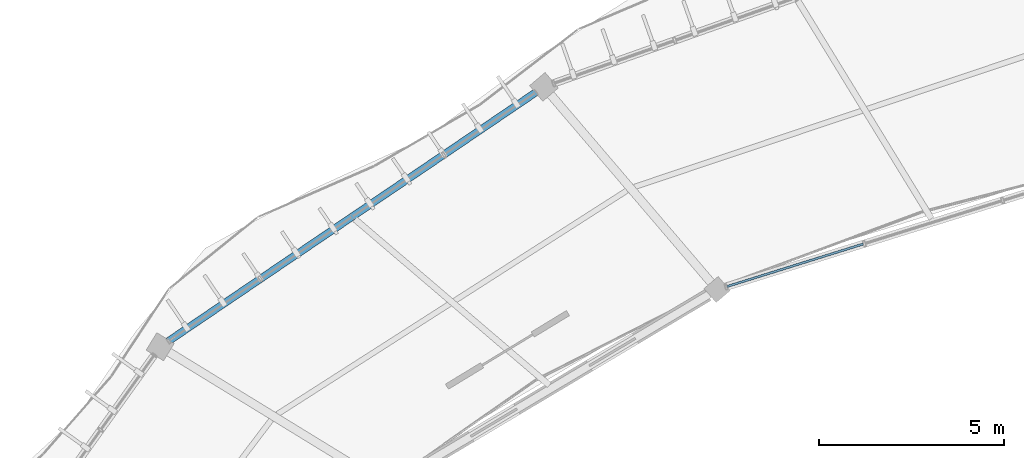
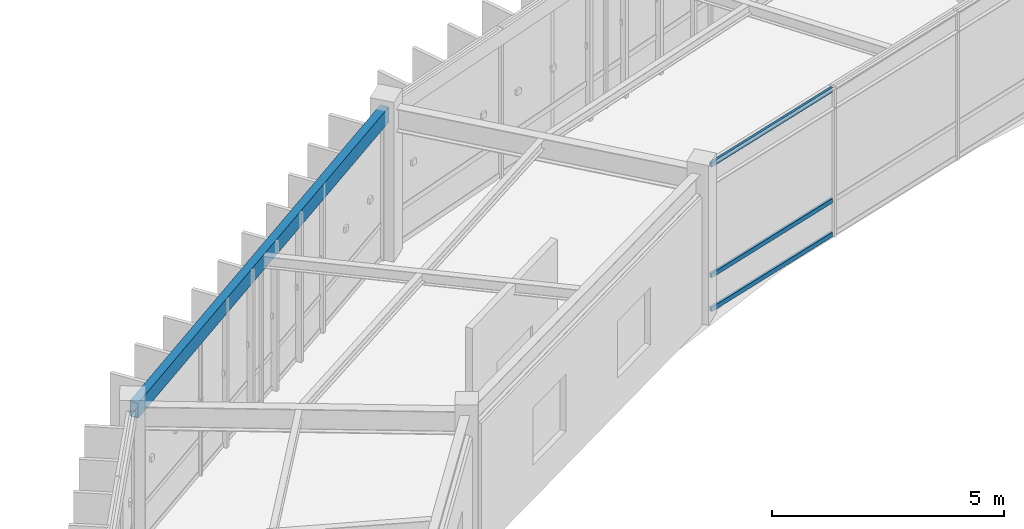
# One storey, part 28 of 79: 3 members, 1 beam, 1 element without a shape of its own.
"""IFC4 building model written with IfcOpenShell, lengths in metres."""

from ifc_helpers import new_model, si_unit, direction, frame, origin, origin_2d, place, context, subcontext, project, spatial, hollow_rectangle, extrude, material, material_profile, profile_set, type_object, element, aggregate, save


model = new_model("IFC4")

# Units and contexts
model_context = context("Model", 3, precision=1e-05, world=origin(), true_north=direction((0.0, 1.0)))
body_context = subcontext(model_context, "Body", "Model", "MODEL_VIEW")
ifc_project = project(units=[si_unit("LENGTHUNIT", "METRE"), si_unit("AREAUNIT", "SQUARE_METRE"), si_unit("VOLUMEUNIT", "CUBIC_METRE"), si_unit("PLANEANGLEUNIT", "RADIAN"), si_unit("MASSUNIT", "GRAM", prefix="KILO"), si_unit("THERMODYNAMICTEMPERATUREUNIT", "KELVIN"), si_unit("POWERUNIT", "WATT")], contexts=[model_context])

# Site, building, storey
site_placement = place(None, origin())
site = spatial("IfcSite", under=ifc_project, at=site_placement, CompositionType="ELEMENT")
building_placement = place(site_placement, origin())
building = spatial("IfcBuilding", under=site, at=building_placement, Name="Darbajah Civic Hall", CompositionType="ELEMENT")
storey_placement = place(building_placement, frame((0.0, 0.0, 22.199951171875)))
storey = spatial("IfcBuildingStorey", under=building, at=storey_placement, Name="L05", CompositionType="ELEMENT", Elevation=22.199951171875)

# Curtain wall, members
ifc_material_1 = material(Name="Anodised Bronze Aluminium and Low-E Glazing", Category="aluminium")
curtain_wall_type = type_object("IfcCurtainWallType", Name="Unitised Curtain Wall CW-67 11700x3900", PredefinedType="USERDEFINED", material=ifc_material_1)
curtain_wall_placement = place(storey_placement, origin())
curtain_wall = element("IfcCurtainWall", 1, at=curtain_wall_placement, inside=storey, type_object=curtain_wall_type, Name="L05 unitised curtain wall CW-V1I-L05-06", ObjectType="UNITISED CURTAIN WALL", PredefinedType="USERDEFINED")
ifc_material_2 = material(Name="Anodised Bronze Aluminium", Category="aluminium")
ifc_material_profile_1 = material_profile(ifc_material_2, hollow_rectangle(XDim=0.06005859375, YDim=0.1201171875, WallThickness=0.003173828125, at=origin_2d()), Name="ALU TRANSOM 60x120")
ifc_profile_set_1 = profile_set([ifc_material_profile_1], Name="Anodised Bronze Aluminium")
member_type = type_object("IfcMemberType", Name="ALU TRANSOM 60x120", PredefinedType="USERDEFINED", material=ifc_profile_set_1)
member_1_placement = place(storey_placement, frame((64.595703125, 107.98681640625, 0.06005859375), z_axis=(-0.954613310059, -0.297847995223, 0.0), x_axis=(0.297847995223, -0.954613310059, 0.0)))
member_1 = element("IfcMember", 2, at=member_1_placement, type_object=member_type, Name="CW-V1I-L05-06 transom 3.1", ObjectType="TRANSOM", PredefinedType="USERDEFINED", context=body_context, shape_type="SweptSolid", body=[
    extrude(hollow_rectangle(XDim=0.06005859375, YDim=0.1201171875, WallThickness=0.003173828125, at=origin_2d()), origin(), (0.0, 0.0, 1.0), 3.841796875),
])
member_2_placement = place(storey_placement, frame((64.595703125, 107.98681640625, 0.949951171875), z_axis=(-0.954613310059, -0.297847995223, 0.0), x_axis=(0.297847995223, -0.954613310059, 0.0)))
member_2 = element("IfcMember", 3, at=member_2_placement, type_object=member_type, Name="CW-V1I-L05-06 transom 3.2", ObjectType="TRANSOM", PredefinedType="USERDEFINED", context=body_context, shape_type="SweptSolid", body=[
    extrude(hollow_rectangle(XDim=0.06005859375, YDim=0.1201171875, WallThickness=0.003173828125, at=origin_2d()), origin(), (0.0, 0.0, 1.0), 3.841796875),
])
member_3_placement = place(storey_placement, frame((64.595703125, 107.98681640625, 3.860107421875), z_axis=(-0.954613310059, -0.297847995223, 0.0), x_axis=(0.297847995223, -0.954613310059, 0.0)))
member_3 = element("IfcMember", 4, at=member_3_placement, type_object=member_type, Name="CW-V1I-L05-06 transom 3.3", ObjectType="TRANSOM", PredefinedType="USERDEFINED", context=body_context, shape_type="SweptSolid", body=[
    extrude(hollow_rectangle(XDim=0.06005859375, YDim=0.1201171875, WallThickness=0.003173828125, at=origin_2d()), origin(), (0.0, 0.0, 1.0), 3.841796875),
])
aggregate(curtain_wall, [member_1, member_2, member_3])

# Beam
ifc_material_3 = material(Name="Steel S355JR", Category="steel")
ifc_material_profile_2 = material_profile(ifc_material_3, hollow_rectangle(XDim=0.199951171875, YDim=0.39990234375, WallThickness=0.013916015625, at=origin_2d()), Name="RHS 400x200x14")
ifc_profile_set_2 = profile_set([ifc_material_profile_2], Name="Steel S355JR")
beam_type = type_object("IfcBeamType", Name="RHS 400x200x14", PredefinedType="SPANDREL", material=ifc_profile_set_2)
beam_placement = place(storey_placement, frame((55.911865234375, 112.18701171875, 3.719970703125), z_axis=(-0.827982022698, -0.560754643394, 0.0), x_axis=(0.560754643394, -0.827982022698, 0.0)))
element("IfcBeam", 5, at=beam_placement, inside=storey, type_object=beam_type, Name="L05 beam SP-RHS400", PredefinedType="SPANDREL", context=body_context, shape_type="SweptSolid", body=[
    extrude(hollow_rectangle(XDim=0.199951171875, YDim=0.39990234375, WallThickness=0.013916015625, at=origin_2d()), origin(), (0.0, 0.0, 1.0), 12.355712890625),
])

save(model, "model.ifc")
